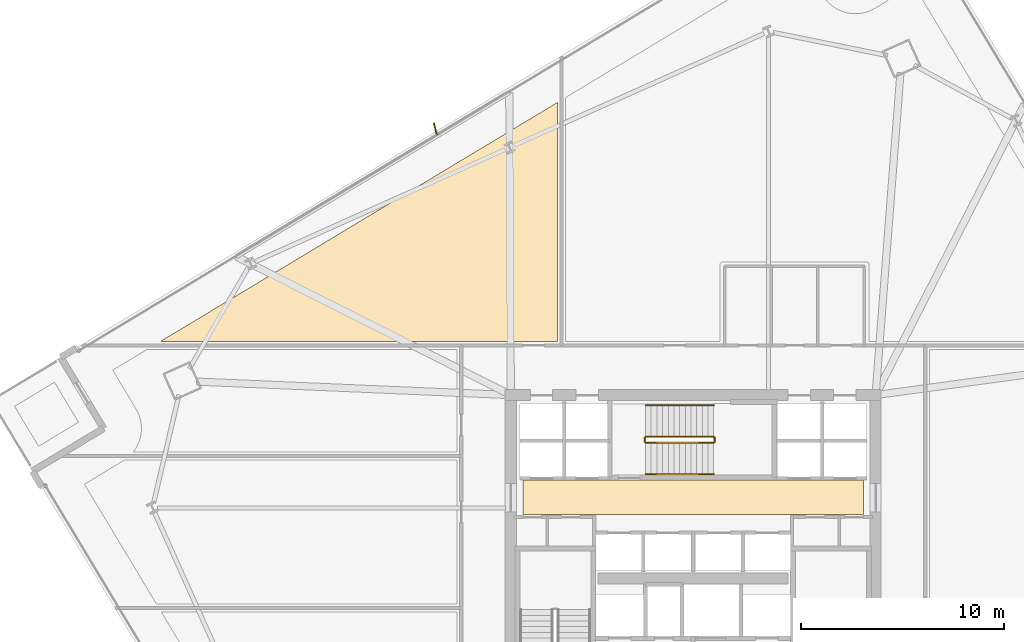
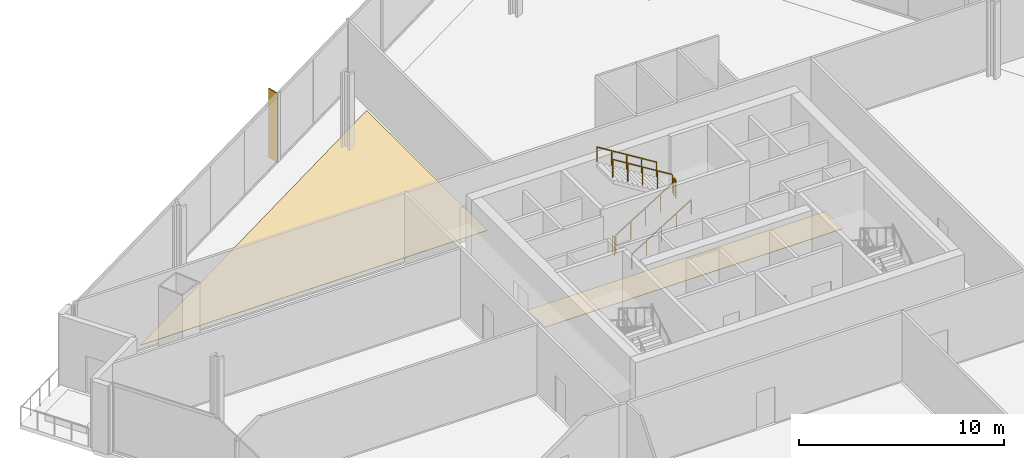
# One storey, part 29 of 30: 6 railings, 2 coverings, 1 shading device.
"""IFC4 building model written with IfcOpenShell, lengths in metres."""

from ifc_helpers import new_model, si_unit, direction, frame, origin, origin_2d, place, context, subcontext, project, spatial, polyline, rectangle, outline, extrude, source, transform, mapped, material, layer, layer_set, type_object, element, save


model = new_model("IFC4")

# Units and contexts
model_context = context("Model", 3, precision=1e-05, world=origin(), true_north=direction((0.0, 1.0)))
body_context = subcontext(model_context, "Body", "Model", "MODEL_VIEW")
ifc_project = project(units=[si_unit("LENGTHUNIT", "METRE"), si_unit("AREAUNIT", "SQUARE_METRE"), si_unit("VOLUMEUNIT", "CUBIC_METRE"), si_unit("PLANEANGLEUNIT", "RADIAN"), si_unit("MASSUNIT", "GRAM", prefix="KILO")], contexts=[model_context])

# Site, building, storey
site_placement = place(None, origin())
site = spatial("IfcSite", under=ifc_project, at=site_placement, CompositionType="ELEMENT")
building_placement = place(site_placement, origin())
building = spatial("IfcBuilding", under=site, at=building_placement, Name="Haldenkirk Collegiate Tower", CompositionType="ELEMENT")
storey_placement = place(building_placement, frame((0.0, 0.0, 131.699951171875)))
storey = spatial("IfcBuildingStorey", under=building, at=storey_placement, Name="L32", CompositionType="ELEMENT", Elevation=131.699951171875)

# Coverings
ifc_material_1 = material(Name="Polished collegiate terrazzo", Category="concrete")
ifc_layer_1 = layer(ifc_material_1, 0.02490234375)
ifc_layer_set_1 = layer_set([ifc_layer_1], Name="Polished collegiate terrazzo")
covering_type = type_object("IfcCoveringType", Name="COV-FLOOR-TERRAZZO", PredefinedType="FLOORING", material=ifc_layer_set_1)
covering_1_placement = place(storey_placement, origin())
element("IfcCovering", 1, at=covering_1_placement, inside=storey, type_object=covering_type, Name="L32 polished terrazzo lobby finish", PredefinedType="FLOORING", context=body_context, shape_type="SweptSolid", body=[
    extrude(outline(polyline([(27.60009765625, 28.10009765625), (44.39990234375, 28.10009765625), (44.39990234375, 29.800048828125), (27.60009765625, 29.800048828125), (27.60009765625, 28.10009765625)])), origin(), (0.0, 0.0, 1.0), 0.025146484375),
])
covering_2_placement = place(storey_placement, origin())
element("IfcCovering", 2, at=covering_2_placement, inside=storey, type_object=covering_type, Name="L32 academic room finish 06", PredefinedType="FLOORING", context=body_context, shape_type="SweptSolid", body=[
    extrude(outline(polyline([(29.300048828125, 48.439453125), (29.300048828125, 36.64990234375), (9.7177734375, 36.64990234375), (29.300048828125, 48.439453125)])), origin(), (0.0, 0.0, 1.0), 0.025146484375),
])

# Railings
ifc_material_2 = material(Name="Painted architectural tubular steel", Category="steel")
railing_type_1 = type_object("IfcRailingType", Name="RLG-STAIR-GUARD-1100", PredefinedType="BALUSTRADE", material=ifc_material_2)
railing_1_placement = place(storey_placement, frame((33.64990234375, 31.64990234375, 0.173095703125)))
element("IfcRailing", 3, at=railing_1_placement, inside=storey, type_object=railing_type_1, Name="L32 ST-3 stair guard 1", PredefinedType="BALUSTRADE", context=body_context, shape_type="SweptSolid", body=[
    extrude(rectangle(XDim=0.048095703125, YDim=0.048095703125, at=origin_2d()), frame((0.0, 0.0, 1.076171875), z_axis=(0.850623216509, 0.0, 0.525775754039), x_axis=(0.0, 1.0, 0.0)), (0.0, 0.0, 1.0), 3.9501953125),
    extrude(rectangle(XDim=0.0419921875, YDim=0.0419921875, at=origin_2d()), origin(), (0.0, 0.0, 1.0), 1.052001953125),
    extrude(rectangle(XDim=0.0419921875, YDim=0.0419921875, at=origin_2d()), frame((0.840087890625, 0.0, 0.519287109375)), (0.0, 0.0, 1.0), 1.052001953125),
    extrude(rectangle(XDim=0.0419921875, YDim=0.0419921875, at=origin_2d()), frame((1.68017578125, 0.0, 1.03857421875)), (0.0, 0.0, 1.0), 1.052001953125),
    extrude(rectangle(XDim=0.0419921875, YDim=0.0419921875, at=origin_2d()), frame((2.52001953125, 0.0, 1.5576171875)), (0.0, 0.0, 1.0), 1.052001953125),
    extrude(rectangle(XDim=0.0419921875, YDim=0.0419921875, at=origin_2d()), frame((3.360107421875, 0.0, 2.076904296875)), (0.0, 0.0, 1.0), 1.052001953125),
])
railing_2_placement = place(storey_placement, frame((37.06005859375, 31.699951171875, 2.25)))
element("IfcRailing", 4, at=railing_2_placement, inside=storey, type_object=railing_type_1, Name="L32 ST-3 stair guard 2", PredefinedType="BALUSTRADE", context=body_context, shape_type="SweptSolid", body=[
    extrude(rectangle(XDim=0.048095703125, YDim=0.048095703125, at=origin_2d()), frame((0.0, 0.0, 1.076171875), z_axis=(0.0, 1.0, 0.0), x_axis=(-1.0, 0.0, 0.0)), (0.0, 0.0, 1.0), 0.199951171875),
    extrude(rectangle(XDim=0.0419921875, YDim=0.0419921875, at=origin_2d()), origin(), (0.0, 0.0, 1.0), 1.052001953125),
    extrude(rectangle(XDim=0.0419921875, YDim=0.0419921875, at=origin_2d()), frame((0.0, 0.199951171875, 0.0)), (0.0, 0.0, 1.0), 1.052001953125),
])
railing_3_placement = place(storey_placement, frame((37.010009765625, 31.949951171875, 2.423095703125)))
element("IfcRailing", 5, at=railing_3_placement, inside=storey, type_object=railing_type_1, Name="L32 ST-3 stair guard 3", PredefinedType="BALUSTRADE", context=body_context, shape_type="SweptSolid", body=[
    extrude(rectangle(XDim=0.048095703125, YDim=0.048095703125, at=origin_2d()), frame((0.0, 0.0, 1.076171875), z_axis=(-0.850623216509, 0.0, 0.525775754039), x_axis=(0.0, -1.0, 0.0)), (0.0, 0.0, 1.0), 3.9501953125),
    extrude(rectangle(XDim=0.0419921875, YDim=0.0419921875, at=origin_2d()), origin(), (0.0, 0.0, 1.0), 1.052001953125),
    extrude(rectangle(XDim=0.0419921875, YDim=0.0419921875, at=origin_2d()), frame((-0.840087890625, 0.0, 0.519287109375)), (0.0, 0.0, 1.0), 1.052001953125),
    extrude(rectangle(XDim=0.0419921875, YDim=0.0419921875, at=origin_2d()), frame((-1.68017578125, 0.0, 1.03857421875)), (0.0, 0.0, 1.0), 1.052001953125),
    extrude(rectangle(XDim=0.0419921875, YDim=0.0419921875, at=origin_2d()), frame((-2.52001953125, 0.0, 1.5576171875)), (0.0, 0.0, 1.0), 1.052001953125),
    extrude(rectangle(XDim=0.0419921875, YDim=0.0419921875, at=origin_2d()), frame((-3.360107421875, 0.0, 2.076904296875)), (0.0, 0.0, 1.0), 1.052001953125),
])
railing_4_placement = place(storey_placement, frame((33.60009765625, 31.699951171875, 0.0)))
element("IfcRailing", 6, at=railing_4_placement, inside=storey, type_object=railing_type_1, Name="L32 ST-3 stair guard 4", PredefinedType="BALUSTRADE", context=body_context, shape_type="SweptSolid", body=[
    extrude(rectangle(XDim=0.048095703125, YDim=0.048095703125, at=origin_2d()), frame((0.0, 0.0, 1.076171875), z_axis=(0.0, 1.0, 0.0), x_axis=(-1.0, 0.0, 0.0)), (0.0, 0.0, 1.0), 0.199951171875),
    extrude(rectangle(XDim=0.0419921875, YDim=0.0419921875, at=origin_2d()), origin(), (0.0, 0.0, 1.0), 1.052001953125),
    extrude(rectangle(XDim=0.0419921875, YDim=0.0419921875, at=origin_2d()), frame((0.0, 0.199951171875, 0.0)), (0.0, 0.0, 1.0), 1.052001953125),
])
railing_type_2 = type_object("IfcRailingType", Name="RLG-STAIR-HANDRAIL-900", PredefinedType="HANDRAIL", material=ifc_material_2)
railing_5_placement = place(storey_placement, frame((33.64990234375, 30.10009765625, 0.173095703125)))
element("IfcRailing", 7, at=railing_5_placement, inside=storey, type_object=railing_type_2, Name="L32 ST-3 stair handrail 1", PredefinedType="HANDRAIL", context=body_context, shape_type="SweptSolid", body=[
    extrude(rectangle(XDim=0.048095703125, YDim=0.048095703125, at=origin_2d()), frame((0.0, 0.0, 0.8759765625), z_axis=(0.850623216509, 0.0, 0.525775754039), x_axis=(0.0, 1.0, 0.0)), (0.0, 0.0, 1.0), 3.9501953125),
    extrude(rectangle(XDim=0.0419921875, YDim=0.0419921875, at=origin_2d()), origin(), (0.0, 0.0, 1.0), 0.851806640625),
    extrude(rectangle(XDim=0.0419921875, YDim=0.0419921875, at=origin_2d()), frame((0.840087890625, 0.0, 0.519287109375)), (0.0, 0.0, 1.0), 0.851806640625),
    extrude(rectangle(XDim=0.0419921875, YDim=0.0419921875, at=origin_2d()), frame((1.68017578125, 0.0, 1.03857421875)), (0.0, 0.0, 1.0), 0.851806640625),
    extrude(rectangle(XDim=0.0419921875, YDim=0.0419921875, at=origin_2d()), frame((2.52001953125, 0.0, 1.5576171875)), (0.0, 0.0, 1.0), 0.851806640625),
    extrude(rectangle(XDim=0.0419921875, YDim=0.0419921875, at=origin_2d()), frame((3.360107421875, 0.0, 2.076904296875)), (0.0, 0.0, 1.0), 0.851806640625),
])
railing_6_placement = place(storey_placement, frame((37.010009765625, 33.5, 2.423095703125)))
element("IfcRailing", 8, at=railing_6_placement, inside=storey, type_object=railing_type_2, Name="L32 ST-3 stair handrail 2", PredefinedType="HANDRAIL", context=body_context, shape_type="SweptSolid", body=[
    extrude(rectangle(XDim=0.048095703125, YDim=0.048095703125, at=origin_2d()), frame((0.0, 0.0, 0.8759765625), z_axis=(-0.850623216509, 0.0, 0.525775754039), x_axis=(0.0, -1.0, 0.0)), (0.0, 0.0, 1.0), 3.9501953125),
    extrude(rectangle(XDim=0.0419921875, YDim=0.0419921875, at=origin_2d()), origin(), (0.0, 0.0, 1.0), 0.851806640625),
    extrude(rectangle(XDim=0.0419921875, YDim=0.0419921875, at=origin_2d()), frame((-0.840087890625, 0.0, 0.519287109375)), (0.0, 0.0, 1.0), 0.851806640625),
    extrude(rectangle(XDim=0.0419921875, YDim=0.0419921875, at=origin_2d()), frame((-1.68017578125, 0.0, 1.03857421875)), (0.0, 0.0, 1.0), 0.851806640625),
    extrude(rectangle(XDim=0.0419921875, YDim=0.0419921875, at=origin_2d()), frame((-2.52001953125, 0.0, 1.5576171875)), (0.0, 0.0, 1.0), 0.851806640625),
    extrude(rectangle(XDim=0.0419921875, YDim=0.0419921875, at=origin_2d()), frame((-3.360107421875, 0.0, 2.076904296875)), (0.0, 0.0, 1.0), 0.851806640625),
])

# Shading device
ifc_material_3 = material(Name="Anodised architectural bronze aluminium", Category="aluminium")
ifc_layer_2 = layer(ifc_material_3, 0.06494140625)
ifc_layer_set_2 = layer_set([ifc_layer_2], Name="Anodised architectural bronze aluminium")
shading_device_type = type_object("IfcShadingDeviceType", Name="SHD-FIN-BRONZE-620", PredefinedType="USERDEFINED", material=ifc_layer_set_2)
shared_shape = source(origin(), body_context, "Body", "SweptSolid", [
    extrude(rectangle(XDim=0.6201171875, YDim=0.06494140625, at=origin_2d()), origin(), (0.0, 0.0, 1.0), 4.10009765625),
])
shading_device_placement = place(storey_placement, frame((23.278076171875, 47.131103515625, 0.0), z_axis=(0.0, 0.0, 1.0), x_axis=(-0.259661875744, 0.965699596295, 0.0)))
element("IfcShadingDevice", 9, at=shading_device_placement, inside=storey, type_object=shading_device_type, Name="L32 folded bronze solar fin 1", ObjectType="FIN", PredefinedType="USERDEFINED", context=body_context, shape_type="MappedRepresentation", body=[
    mapped(shared_shape, transform((0.0, 0.0, 0.0), x_axis=(1.0, 0.0, 0.0), y_axis=(0.0, 1.0, 0.0), z_axis=(0.0, 0.0, 1.0), scale=1.0)),
])

save(model, "model.ifc")
